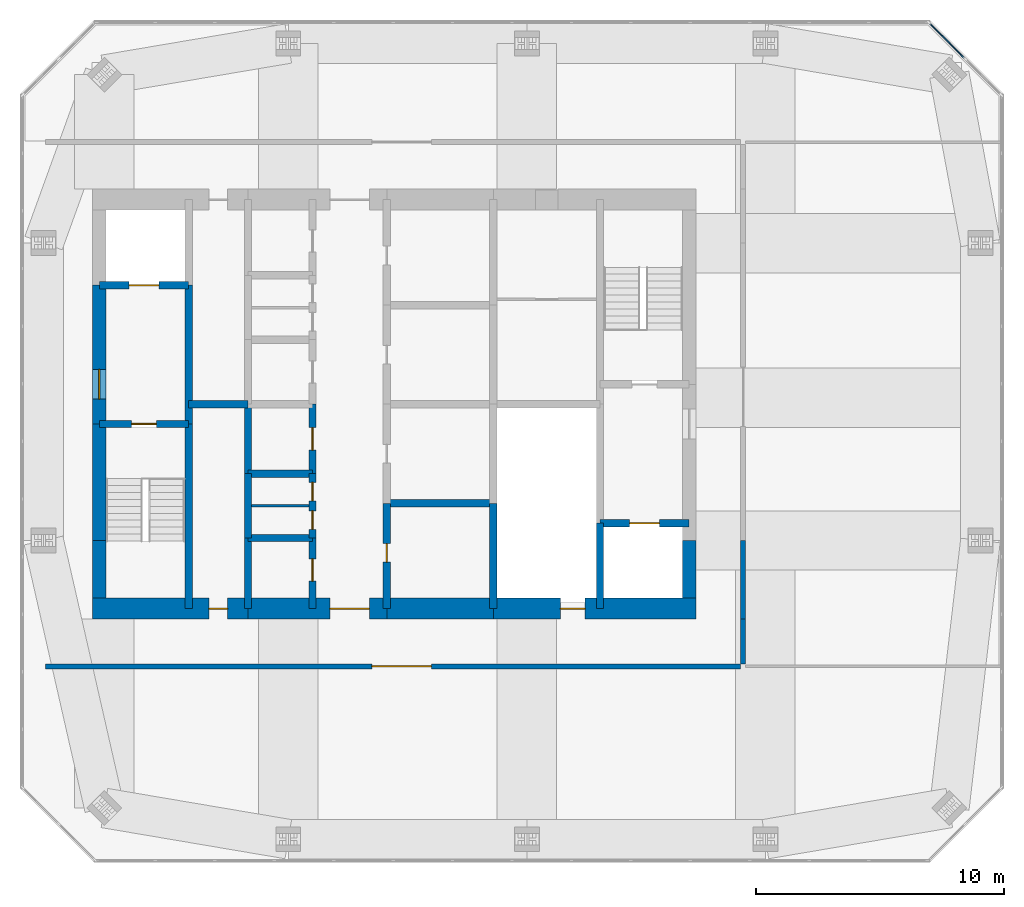
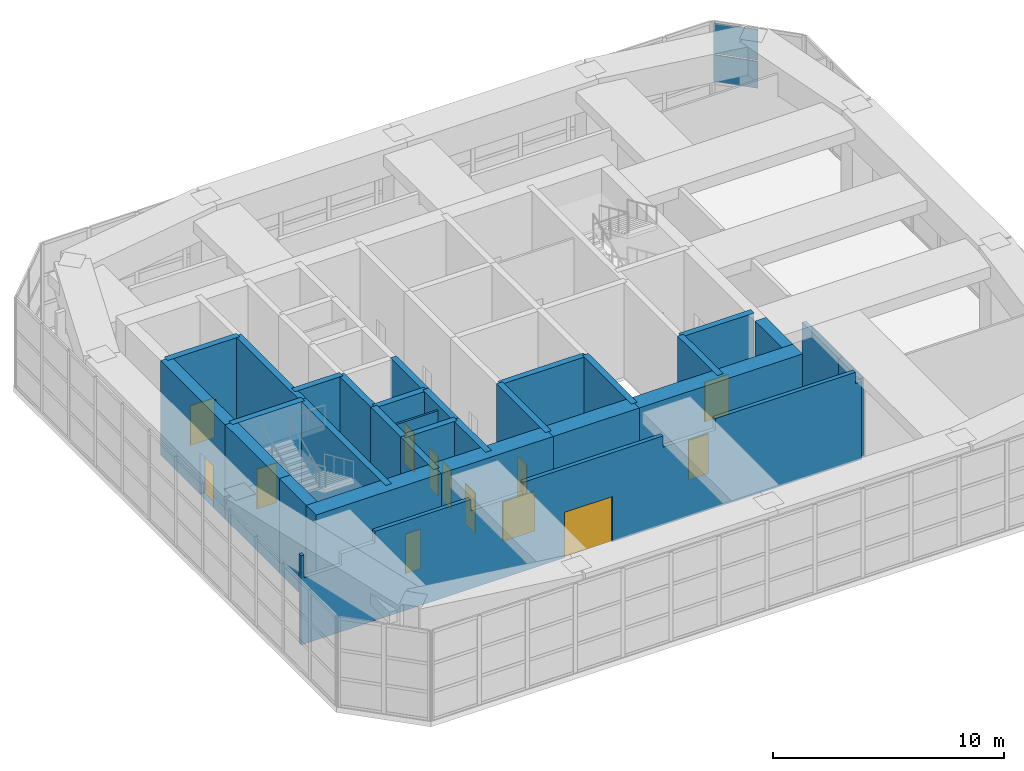
# One storey, part 11 of 14: 30 walls, 13 doors, 2 plates, 13 openings, 1 element without a shape of its own.
"""IFC4 building model written with IfcOpenShell, lengths in metres."""

from ifc_helpers import new_model, si_unit, direction, frame, frame_2d, origin, origin_2d, place, context, subcontext, project, spatial, polyline, rectangle, outline, extrude, material, layer, layer_set, constituent, constituent_set, type_object, element, fill, aggregate, save


model = new_model("IFC4")

# Units and contexts
model_context = context("Model", 3, precision=1e-05, world=origin(), true_north=direction((0.0, 1.0)))
body_context = subcontext(model_context, "Body", "Model", "MODEL_VIEW")
ifc_project = project(units=[si_unit("LENGTHUNIT", "METRE"), si_unit("AREAUNIT", "SQUARE_METRE"), si_unit("VOLUMEUNIT", "CUBIC_METRE"), si_unit("PLANEANGLEUNIT", "RADIAN"), si_unit("MASSUNIT", "GRAM", prefix="KILO")], contexts=[model_context])

# Site, building, storey
site_placement = place(None, origin())
site = spatial("IfcSite", under=ifc_project, at=site_placement, CompositionType="ELEMENT")
building_placement = place(site_placement, origin())
building = spatial("IfcBuilding", under=site, at=building_placement, Name="Jalousie Tower", CompositionType="ELEMENT")
storey_placement = place(building_placement, frame((0.0, 0.0, 272.75)))
storey = spatial("IfcBuildingStorey", under=building, at=storey_placement, Name="L74", CompositionType="ELEMENT", Elevation=272.75)

# Curtain wall, plates
ifc_material_1 = material(Name="Aluminium curtain wall", Category="aluminium")
curtain_wall_type = type_object("IfcCurtainWallType", Name="CROWN LOUVRE WALL", PredefinedType="USERDEFINED", material=ifc_material_1)
curtain_wall_placement = place(storey_placement, origin())
curtain_wall = element("IfcCurtainWall", 1, at=curtain_wall_placement, inside=storey, type_object=curtain_wall_type, Name="Crown Louvre Wall L74 4", ObjectType="CROWN LOUVRE WALL", PredefinedType="USERDEFINED")
ifc_material_2 = material(Name="Aluminium storm louvre panel", Category="aluminium")
ifc_layer_1 = layer(ifc_material_2, 0.050048828125)
ifc_layer_set_1 = layer_set([ifc_layer_1], Name="Aluminium storm louvre panel")
plate_type = type_object("IfcPlateType", Name="CROWN LOUVRE WALL PANEL", PredefinedType="CURTAIN_PANEL", material=ifc_layer_set_1)
plate_1_placement = place(storey_placement, frame((54.203857421875, 33.157470703125, 1.5400390625), z_axis=(0.0, 0.0, 1.0), x_axis=(-0.707106781187, 0.707106781187, 0.0)))
plate_1 = element("IfcPlate", 2, at=plate_1_placement, type_object=plate_type, Name="CW-L panel 2.2", PredefinedType="CURTAIN_PANEL", context=body_context, shape_type="SweptSolid", body=[
    extrude(rectangle(XDim=1.975830078125, YDim=0.050048828125, at=origin_2d()), origin(), (0.0, 0.0, 1.0), 1.419921875),
])
plate_2_placement = place(storey_placement, frame((54.203857421875, 33.157470703125, 3.0400390625), z_axis=(0.0, 0.0, 1.0), x_axis=(-0.707106781187, 0.707106781187, 0.0)))
plate_2 = element("IfcPlate", 3, at=plate_2_placement, type_object=plate_type, Name="CW-L panel 2.3", PredefinedType="CURTAIN_PANEL", context=body_context, shape_type="SweptSolid", body=[
    extrude(rectangle(XDim=1.975830078125, YDim=0.050048828125, at=origin_2d()), origin(), (0.0, 0.0, 1.0), 1.60009765625),
])
aggregate(curtain_wall, [plate_1, plate_2])

# Walls
ifc_material_3 = material(Name="Concrete f'c 120 MPa", Category="concrete")
ifc_layer_2 = layer(ifc_material_3, 0.300048828125)
ifc_layer_set_2 = layer_set([ifc_layer_2], Name="Concrete f'c 120 MPa")
wall_type_1 = type_object("IfcWallType", Name="CORE WALL 300", PredefinedType="SHEAR", material=ifc_layer_set_2)
wall_1_placement = place(storey_placement, frame((23.60009765625, 10.25, 0.0), z_axis=(0.0, 0.0, 1.0), x_axis=(0.0, 1.0, 0.0)))
element("IfcWall", 4, at=wall_1_placement, inside=storey, type_object=wall_type_1, Name="Core wall X23.6A L74", PredefinedType="SHEAR", context=body_context, shape_type="SweptSolid", body=[
    extrude(rectangle(XDim=7.449951171875, YDim=0.300048828125, at=frame_2d((3.72509765625, 0.0))), origin(), (0.0, 0.0, 1.0), 5.0),
])
wall_2_placement = place(storey_placement, frame((23.60009765625, 17.699951171875, 0.0), z_axis=(0.0, 0.0, 1.0), x_axis=(0.0, 1.0, 0.0)))
element("IfcWall", 5, at=wall_2_placement, inside=storey, type_object=wall_type_1, Name="Core wall X23.6B L74", PredefinedType="SHEAR", context=body_context, shape_type="SweptSolid", body=[
    extrude(rectangle(XDim=5.60009765625, YDim=0.300048828125, at=frame_2d((2.800048828125, 0.0))), origin(), (0.0, 0.0, 1.0), 5.0),
])
wall_3_placement = place(storey_placement, frame((26.0, 10.25, 0.0), z_axis=(0.0, 0.0, 1.0), x_axis=(0.0, 1.0, 0.0)))
element("IfcWall", 6, at=wall_3_placement, inside=storey, type_object=wall_type_1, Name="Core wall X26A L74", PredefinedType="SHEAR", context=body_context, shape_type="SweptSolid", body=[
    extrude(rectangle(XDim=2.85009765625, YDim=0.300048828125, at=frame_2d((1.425048828125, 0.0))), origin(), (0.0, 0.0, 1.0), 5.0),
])
wall_4_placement = place(storey_placement, frame((26.0, 13.10009765625, 0.0), z_axis=(0.0, 0.0, 1.0), x_axis=(0.0, 1.0, 0.0)))
element("IfcWall", 7, at=wall_4_placement, inside=storey, type_object=wall_type_1, Name="Core wall X26B L74", PredefinedType="SHEAR", context=body_context, shape_type="SweptSolid", body=[
    extrude(rectangle(XDim=2.599853515625, YDim=0.300048828125, at=frame_2d((1.2998046875, 0.0))), origin(), (0.0, 0.0, 1.0), 5.0),
])
wall_5_placement = place(storey_placement, frame((26.0, 15.699951171875, 0.0), z_axis=(0.0, 0.0, 1.0), x_axis=(0.0, 1.0, 0.0)))
element("IfcWall", 8, at=wall_5_placement, inside=storey, type_object=wall_type_1, Name="Core wall X26C L74", PredefinedType="SHEAR", context=body_context, shape_type="SweptSolid", body=[
    extrude(rectangle(XDim=2.800048828125, YDim=0.300048828125, at=frame_2d((1.39990234375, 0.0))), origin(), (0.0, 0.0, 1.0), 5.0),
])

# Wall, opening, door
wall_6_placement = place(storey_placement, frame((28.60009765625, 10.25, 0.0), z_axis=(0.0, 0.0, 1.0), x_axis=(0.0, 1.0, 0.0)))
wall_6 = element("IfcWall", 9, at=wall_6_placement, inside=storey, type_object=wall_type_1, Name="Core wall X28.6A L74", PredefinedType="SHEAR", context=body_context, shape_type="SweptSolid", body=[
    extrude(rectangle(XDim=2.85009765625, YDim=0.300048828125, at=frame_2d((1.425048828125, 0.0))), origin(), (0.0, 0.0, 1.0), 5.0),
])
opening_1_placement = place(wall_6_placement, frame((1.112548828125, 0.0, 0.0)))
opening_1 = element("IfcOpeningElement", 10, at=opening_1_placement, cuts=wall_6, Name="Opening D24", PredefinedType="OPENING", context=body_context, shape_type="SweptSolid", body=[
    extrude(rectangle(XDim=0.89990234375, YDim=2.10009765625, at=frame_2d((0.449951171875, 1.050048828125))), frame((0.0, 0.159912109375, 0.0), z_axis=(0.0, -1.0, 0.0), x_axis=(1.0, 0.0, 0.0)), (0.0, 0.0, 1.0), 0.320068359375),
])
ifc_material_4 = material(Name="Steel fire door", Category="steel")
door_type_1 = type_object("IfcDoorType", Name="CORE ROOM DOOR 900", OperationType="SINGLE_SWING_LEFT", PredefinedType="DOOR", material=ifc_material_4)
door_1_placement = place(opening_1_placement, origin())
door_1 = element("IfcDoor", 11, at=door_1_placement, inside=storey, type_object=door_type_1, Name="Maintenance store door", OperationType="SINGLE_SWING_RIGHT", OverallHeight=2.10009765625, OverallWidth=0.89990234375, PredefinedType="DOOR", context=body_context, shape_type="SweptSolid", body=[
    extrude(rectangle(XDim=0.89990234375, YDim=2.10009765625, at=frame_2d((0.449951171875, 1.050048828125))), frame((0.0, 0.02490234375, 0.0), z_axis=(0.0, -1.0, 0.0), x_axis=(1.0, 0.0, 0.0)), (0.0, 0.0, 1.0), 0.050048828125),
])
fill(opening_1, door_1)

# Wall, openings, doors
wall_7_placement = place(storey_placement, frame((28.60009765625, 13.10009765625, 0.0), z_axis=(0.0, 0.0, 1.0), x_axis=(0.0, 1.0, 0.0)))
wall_7 = element("IfcWall", 12, at=wall_7_placement, inside=storey, type_object=wall_type_1, Name="Core wall X28.6B L74", PredefinedType="SHEAR", context=body_context, shape_type="SweptSolid", body=[
    extrude(rectangle(XDim=2.599853515625, YDim=0.300048828125, at=frame_2d((1.2998046875, 0.0))), origin(), (0.0, 0.0, 1.0), 5.0),
])
opening_2_placement = place(wall_7_placement, frame((0.35009765625, 0.0, 0.0)))
opening_2 = element("IfcOpeningElement", 13, at=opening_2_placement, cuts=wall_7, Name="Opening D27", PredefinedType="OPENING", context=body_context, shape_type="SweptSolid", body=[
    extrude(rectangle(XDim=0.75, YDim=2.10009765625, at=frame_2d((0.375, 1.050048828125))), frame((0.0, 0.159912109375, 0.0), z_axis=(0.0, -1.0, 0.0), x_axis=(1.0, 0.0, 0.0)), (0.0, 0.0, 1.0), 0.320068359375),
])
opening_3_placement = place(wall_7_placement, frame((1.5, 0.0, 0.0)))
opening_3 = element("IfcOpeningElement", 14, at=opening_3_placement, cuts=wall_7, Name="Opening D27", PredefinedType="OPENING", context=body_context, shape_type="SweptSolid", body=[
    extrude(rectangle(XDim=0.75, YDim=2.10009765625, at=frame_2d((0.375, 1.050048828125))), frame((0.0, 0.159912109375, 0.0), z_axis=(0.0, -1.0, 0.0), x_axis=(1.0, 0.0, 0.0)), (0.0, 0.0, 1.0), 0.320068359375),
])
ifc_material_5 = material(Name="Steel fire door", Category="steel")
door_type_2 = type_object("IfcDoorType", Name="CORE ROOM DOOR 750", OperationType="SINGLE_SWING_LEFT", PredefinedType="DOOR", material=ifc_material_5)
door_2_placement = place(opening_2_placement, origin())
door_2 = element("IfcDoor", 15, at=door_2_placement, inside=storey, type_object=door_type_2, Name="Plant spares store door", OperationType="SINGLE_SWING_RIGHT", OverallHeight=2.10009765625, OverallWidth=0.75, PredefinedType="DOOR", context=body_context, shape_type="SweptSolid", body=[
    extrude(rectangle(XDim=0.75, YDim=2.10009765625, at=frame_2d((0.375, 1.050048828125))), frame((0.0, 0.02490234375, 0.0), z_axis=(0.0, -1.0, 0.0), x_axis=(1.0, 0.0, 0.0)), (0.0, 0.0, 1.0), 0.050048828125),
])
fill(opening_2, door_2)
door_3_placement = place(opening_3_placement, origin())
door_3 = element("IfcDoor", 16, at=door_3_placement, inside=storey, type_object=door_type_2, Name="Store door", OperationType="SINGLE_SWING_LEFT", OverallHeight=2.10009765625, OverallWidth=0.75, PredefinedType="DOOR", context=body_context, shape_type="SweptSolid", body=[
    extrude(rectangle(XDim=0.75, YDim=2.10009765625, at=frame_2d((0.375, 1.050048828125))), frame((0.0, 0.02490234375, 0.0), z_axis=(0.0, -1.0, 0.0), x_axis=(1.0, 0.0, 0.0)), (0.0, 0.0, 1.0), 0.050048828125),
])
fill(opening_3, door_3)

# Wall, opening, door
wall_8_placement = place(storey_placement, frame((28.60009765625, 15.699951171875, 0.0), z_axis=(0.0, 0.0, 1.0), x_axis=(0.0, 1.0, 0.0)))
wall_8 = element("IfcWall", 17, at=wall_8_placement, inside=storey, type_object=wall_type_1, Name="Core wall X28.6C L74", PredefinedType="SHEAR", context=body_context, shape_type="SweptSolid", body=[
    extrude(rectangle(XDim=2.800048828125, YDim=0.300048828125, at=frame_2d((1.39990234375, 0.0))), origin(), (0.0, 0.0, 1.0), 5.0),
])
opening_4_placement = place(wall_8_placement, frame((0.949951171875, 0.0, 0.0)))
opening_4 = element("IfcOpeningElement", 18, at=opening_4_placement, cuts=wall_8, Name="Opening D24", PredefinedType="OPENING", context=body_context, shape_type="SweptSolid", body=[
    extrude(rectangle(XDim=0.89990234375, YDim=2.10009765625, at=frame_2d((0.449951171875, 1.050048828125))), frame((0.0, 0.159912109375, 0.0), z_axis=(0.0, -1.0, 0.0), x_axis=(1.0, 0.0, 0.0)), (0.0, 0.0, 1.0), 0.320068359375),
])
door_4_placement = place(opening_4_placement, origin())
door_4 = element("IfcDoor", 19, at=door_4_placement, inside=storey, type_object=door_type_1, Name="IT room door", OperationType="SINGLE_SWING_LEFT", OverallHeight=2.10009765625, OverallWidth=0.89990234375, PredefinedType="DOOR", context=body_context, shape_type="SweptSolid", body=[
    extrude(rectangle(XDim=0.89990234375, YDim=2.10009765625, at=frame_2d((0.449951171875, 1.050048828125))), frame((0.0, 0.02490234375, 0.0), z_axis=(0.0, -1.0, 0.0), x_axis=(1.0, 0.0, 0.0)), (0.0, 0.0, 1.0), 0.050048828125),
])
fill(opening_4, door_4)

wall_9_placement = place(storey_placement, frame((31.60009765625, 10.25, 0.0), z_axis=(0.0, 0.0, 1.0), x_axis=(0.0, 1.0, 0.0)))
wall_9 = element("IfcWall", 20, at=wall_9_placement, inside=storey, type_object=wall_type_1, Name="Core wall X31.6A L74", PredefinedType="SHEAR", context=body_context, shape_type="SweptSolid", body=[
    extrude(rectangle(XDim=4.25, YDim=0.300048828125, at=frame_2d((2.125, 0.0))), origin(), (0.0, 0.0, 1.0), 5.0),
])
opening_5_placement = place(wall_9_placement, frame((1.875, 0.0, 0.0)))
opening_5 = element("IfcOpeningElement", 21, at=opening_5_placement, cuts=wall_9, Name="Opening D16", PredefinedType="OPENING", context=body_context, shape_type="SweptSolid", body=[
    extrude(rectangle(XDim=0.75, YDim=2.10009765625, at=frame_2d((0.375, 1.050048828125))), frame((0.0, 0.159912109375, 0.0), z_axis=(0.0, -1.0, 0.0), x_axis=(1.0, 0.0, 0.0)), (0.0, 0.0, 1.0), 0.320068359375),
])
ifc_material_6 = material(Name="Steel fire door", Category="steel")
door_type_3 = type_object("IfcDoorType", Name="RISER DOOR 750", OperationType="SINGLE_SWING_LEFT", PredefinedType="DOOR", material=ifc_material_6)
door_5_placement = place(opening_5_placement, frame((0.75, 0.0, 0.0), z_axis=(0.0, 0.0, 1.0), x_axis=(-1.0, 0.0, 0.0)))
door_5 = element("IfcDoor", 22, at=door_5_placement, inside=storey, type_object=door_type_3, Name="Refuse Room door", OperationType="SINGLE_SWING_RIGHT", OverallHeight=2.10009765625, OverallWidth=0.75, PredefinedType="DOOR", context=body_context, shape_type="SweptSolid", body=[
    extrude(rectangle(XDim=0.75, YDim=2.10009765625, at=frame_2d((0.375, 1.050048828125))), frame((0.0, 0.02490234375, 0.0), z_axis=(0.0, -1.0, 0.0), x_axis=(1.0, 0.0, 0.0)), (0.0, 0.0, 1.0), 0.050048828125),
])
fill(opening_5, door_5)

# Walls
wall_10_placement = place(storey_placement, frame((35.89990234375, 10.25, 0.0), z_axis=(0.0, 0.0, 1.0), x_axis=(0.0, 1.0, 0.0)))
element("IfcWall", 23, at=wall_10_placement, inside=storey, type_object=wall_type_1, Name="Core wall X35.9A L74", PredefinedType="SHEAR", context=body_context, shape_type="SweptSolid", body=[
    extrude(rectangle(XDim=4.25, YDim=0.300048828125, at=frame_2d((2.125, 0.0))), origin(), (0.0, 0.0, 1.0), 5.0),
])
wall_11_placement = place(storey_placement, frame((40.199951171875, 10.25, 0.0), z_axis=(0.0, 0.0, 1.0), x_axis=(0.0, 1.0, 0.0)))
element("IfcWall", 24, at=wall_11_placement, inside=storey, type_object=wall_type_1, Name="Core wall X40.2A L74", PredefinedType="SHEAR", context=body_context, shape_type="SweptSolid", body=[
    extrude(rectangle(XDim=3.449951171875, YDim=0.300048828125, at=frame_2d((1.72509765625, 0.0))), origin(), (0.0, 0.0, 1.0), 5.0),
])

# Wall, opening, door
wall_12_placement = place(storey_placement, frame((20.0, 17.699951171875, 0.0), z_axis=(0.0, 0.0, 1.0), x_axis=(1.0, 0.0, 0.0)))
wall_12 = element("IfcWall", 25, at=wall_12_placement, inside=storey, type_object=wall_type_1, Name="Core wall Y20-17.7 L74", PredefinedType="SHEAR", context=body_context, shape_type="SweptSolid", body=[
    extrude(rectangle(XDim=3.60009765625, YDim=0.300048828125, at=frame_2d((1.800048828125, 0.0))), origin(), (0.0, 0.0, 1.0), 5.0),
])
opening_6_placement = place(wall_12_placement, frame((1.300048828125, 0.0, 0.0)))
opening_6 = element("IfcOpeningElement", 26, at=opening_6_placement, cuts=wall_12, Name="Opening D10", PredefinedType="OPENING", context=body_context, shape_type="SweptSolid", body=[
    extrude(rectangle(XDim=1.0, YDim=2.10009765625, at=frame_2d((0.5, 1.050048828125))), frame((0.0, 0.159912109375, 0.0), z_axis=(0.0, -1.0, 0.0), x_axis=(1.0, 0.0, 0.0)), (0.0, 0.0, 1.0), 0.320068359375),
])
ifc_material_7 = material(Name="Steel fire door", Category="steel")
door_type_4 = type_object("IfcDoorType", Name="STAIR DOOR 1000", OperationType="SINGLE_SWING_LEFT", PredefinedType="DOOR", material=ifc_material_7)
door_6_placement = place(opening_6_placement, frame((1.0, 0.0, 0.0), z_axis=(0.0, 0.0, 1.0), x_axis=(-1.0, 0.0, 0.0)))
door_6 = element("IfcDoor", 27, at=door_6_placement, inside=storey, type_object=door_type_4, Name="Exit stair A door", OperationType="SINGLE_SWING_RIGHT", OverallHeight=2.10009765625, OverallWidth=1.0, PredefinedType="DOOR", context=body_context, shape_type="SweptSolid", body=[
    extrude(rectangle(XDim=1.0, YDim=2.10009765625, at=frame_2d((0.5, 1.050048828125))), frame((0.0, 0.02490234375, 0.0), z_axis=(0.0, -1.0, 0.0), x_axis=(1.0, 0.0, 0.0)), (0.0, 0.0, 1.0), 0.050048828125),
])
fill(opening_6, door_6)

wall_13_placement = place(storey_placement, frame((20.0, 23.300048828125, 0.0), z_axis=(0.0, 0.0, 1.0), x_axis=(1.0, 0.0, 0.0)))
wall_13 = element("IfcWall", 28, at=wall_13_placement, inside=storey, type_object=wall_type_1, Name="Core wall Y20-23.3 L74", PredefinedType="SHEAR", context=body_context, shape_type="SweptSolid", body=[
    extrude(rectangle(XDim=3.60009765625, YDim=0.300048828125, at=frame_2d((1.800048828125, 0.0))), origin(), (0.0, 0.0, 1.0), 5.0),
])
opening_7_placement = place(wall_13_placement, frame((1.199951171875, 0.0, 0.0)))
opening_7 = element("IfcOpeningElement", 29, at=opening_7_placement, cuts=wall_13, Name="Opening LD2", PredefinedType="OPENING", context=body_context, shape_type="SweptSolid", body=[
    extrude(rectangle(XDim=1.199951171875, YDim=2.10009765625, at=frame_2d((0.60009765625, 1.050048828125))), frame((0.0, 0.159912109375, 0.0), z_axis=(0.0, -1.0, 0.0), x_axis=(1.0, 0.0, 0.0)), (0.0, 0.0, 1.0), 0.320068359375),
])
ifc_material_8 = material(Name="Steel lift landing door", Category="steel")
door_type_5 = type_object("IfcDoorType", Name="LIFT LANDING DOOR 1200", OperationType="SLIDING_TO_LEFT", PredefinedType="DOOR", material=ifc_material_8)
door_7_placement = place(opening_7_placement, origin())
door_7 = element("IfcDoor", 30, at=door_7_placement, inside=storey, type_object=door_type_5, Name="Lift F1 landing door", OperationType="SLIDING_TO_LEFT", OverallHeight=2.10009765625, OverallWidth=1.199951171875, PredefinedType="DOOR", context=body_context, shape_type="SweptSolid", body=[
    extrude(rectangle(XDim=1.199951171875, YDim=2.10009765625, at=frame_2d((0.60009765625, 1.050048828125))), frame((0.0, 0.02490234375, 0.0), z_axis=(0.0, -1.0, 0.0), x_axis=(1.0, 0.0, 0.0)), (0.0, 0.0, 1.0), 0.050048828125),
])
fill(opening_7, door_7)

# Walls
wall_14_placement = place(storey_placement, frame((23.60009765625, 18.5, 0.0), z_axis=(0.0, 0.0, 1.0), x_axis=(1.0, 0.0, 0.0)))
element("IfcWall", 31, at=wall_14_placement, inside=storey, type_object=wall_type_1, Name="Core wall Y23.6-18.5 L74", PredefinedType="SHEAR", context=body_context, shape_type="SweptSolid", body=[
    extrude(rectangle(XDim=2.39990234375, YDim=0.300048828125, at=frame_2d((1.199951171875, 0.0))), origin(), (0.0, 0.0, 1.0), 5.0),
])
for number, where, z_axis, x_axis, name in (
    (32, (26.0, 13.10009765625, 0.0), (0.0, 0.0, 1.0), (1.0, 0.0, 0.0), "Core wall Y26-13.1 L74"),
    (33, (26.0, 15.699951171875, 0.0), (0.0, 0.0, 1.0), (1.0, 0.0, 0.0), "Core wall Y26-15.7 L74"),
):
    element("IfcWall", number, at=place(storey_placement, frame(where, z_axis=z_axis, x_axis=x_axis)), inside=storey, type_object=wall_type_1, Name=name, PredefinedType="SHEAR", context=body_context, shape_type="SweptSolid", body=[
        extrude(rectangle(XDim=2.60009765625, YDim=0.300048828125, at=frame_2d((1.300048828125, 0.0))), origin(), (0.0, 0.0, 1.0), 5.0),
    ])
wall_15_placement = place(storey_placement, frame((31.60009765625, 14.5, 0.0), z_axis=(0.0, 0.0, 1.0), x_axis=(1.0, 0.0, 0.0)))
element("IfcWall", 34, at=wall_15_placement, inside=storey, type_object=wall_type_1, Name="Core wall Y31.6-14.5 L74", PredefinedType="SHEAR", context=body_context, shape_type="SweptSolid", body=[
    extrude(rectangle(XDim=4.2998046875, YDim=0.300048828125, at=frame_2d((2.14990234375, 0.0))), origin(), (0.0, 0.0, 1.0), 5.0),
])

# Wall, opening, door
wall_16_placement = place(storey_placement, frame((40.199951171875, 13.699951171875, 0.0), z_axis=(0.0, 0.0, 1.0), x_axis=(1.0, 0.0, 0.0)))
wall_16 = element("IfcWall", 35, at=wall_16_placement, inside=storey, type_object=wall_type_1, Name="Core wall Y40.2-13.7 L74", PredefinedType="SHEAR", context=body_context, shape_type="SweptSolid", body=[
    extrude(rectangle(XDim=3.60009765625, YDim=0.300048828125, at=frame_2d((1.800048828125, 0.0))), origin(), (0.0, 0.0, 1.0), 5.0),
])
opening_8_placement = place(wall_16_placement, frame((1.199951171875, 0.0, 0.0)))
opening_8 = element("IfcOpeningElement", 36, at=opening_8_placement, cuts=wall_16, Name="Opening LD2", PredefinedType="OPENING", context=body_context, shape_type="SweptSolid", body=[
    extrude(rectangle(XDim=1.199951171875, YDim=2.10009765625, at=frame_2d((0.60009765625, 1.050048828125))), frame((0.0, 0.159912109375, 0.0), z_axis=(0.0, -1.0, 0.0), x_axis=(1.0, 0.0, 0.0)), (0.0, 0.0, 1.0), 0.320068359375),
])
door_8_placement = place(opening_8_placement, origin())
door_8 = element("IfcDoor", 37, at=door_8_placement, inside=storey, type_object=door_type_5, Name="Lift F2 landing door", OperationType="SLIDING_TO_LEFT", OverallHeight=2.10009765625, OverallWidth=1.199951171875, PredefinedType="DOOR", context=body_context, shape_type="SweptSolid", body=[
    extrude(rectangle(XDim=1.199951171875, YDim=2.10009765625, at=frame_2d((0.60009765625, 1.050048828125))), frame((0.0, 0.02490234375, 0.0), z_axis=(0.0, -1.0, 0.0), x_axis=(1.0, 0.0, 0.0)), (0.0, 0.0, 1.0), 0.050048828125),
])
fill(opening_8, door_8)

ifc_material_9 = material(Name="Concrete f'c 120 MPa", Category="concrete")
ifc_layer_3 = layer(ifc_material_9, 0.550048828125)
ifc_layer_set_3 = layer_set([ifc_layer_3], Name="Concrete f'c 120 MPa")
wall_type_2 = type_object("IfcWallType", Name="CORE WALL 550", PredefinedType="SHEAR", material=ifc_layer_set_3)
wall_17_placement = place(storey_placement, frame((20.0, 23.300048828125, 0.0), z_axis=(0.0, 0.0, 1.0), x_axis=(0.0, -1.0, 0.0)))
wall_17 = element("IfcWall", 38, at=wall_17_placement, inside=storey, type_object=wall_type_2, Name="Core wall WB L74", PredefinedType="SHEAR", context=body_context, shape_type="SweptSolid", body=[
    extrude(rectangle(XDim=5.60009765625, YDim=0.550048828125, at=frame_2d((2.800048828125, 0.0))), origin(), (0.0, 0.0, 1.0), 5.0),
])
opening_9_placement = place(wall_17_placement, frame((3.39990234375, 0.0, 0.0)))
opening_9 = element("IfcOpeningElement", 39, at=opening_9_placement, cuts=wall_17, Name="Opening D11", PredefinedType="OPENING", context=body_context, shape_type="SweptSolid", body=[
    extrude(rectangle(XDim=1.199951171875, YDim=2.199951171875, at=frame_2d((0.60009765625, 1.10009765625))), frame((0.0, 0.284912109375, 0.0), z_axis=(0.0, -1.0, 0.0), x_axis=(1.0, 0.0, 0.0)), (0.0, 0.0, 1.0), 0.570068359375),
])
ifc_material_10 = material(Name="Steel fire door", Category="steel")
door_type_6 = type_object("IfcDoorType", Name="FIRE DOOR 1200", OperationType="SINGLE_SWING_LEFT", PredefinedType="DOOR", material=ifc_material_10)
door_9_placement = place(opening_9_placement, origin())
door_9 = element("IfcDoor", 40, at=door_9_placement, inside=storey, type_object=door_type_6, Name="Fire-fighting lobby A door", OperationType="SINGLE_SWING_RIGHT", OverallHeight=2.199951171875, OverallWidth=1.199951171875, PredefinedType="DOOR", context=body_context, shape_type="SweptSolid", body=[
    extrude(rectangle(XDim=1.199951171875, YDim=2.199951171875, at=frame_2d((0.60009765625, 1.10009765625))), frame((0.0, 0.02490234375, 0.0), z_axis=(0.0, -1.0, 0.0), x_axis=(1.0, 0.0, 0.0)), (0.0, 0.0, 1.0), 0.050048828125),
])
fill(opening_9, door_9)

# Walls
wall_18_placement = place(storey_placement, frame((20.0, 17.699951171875, 0.0), z_axis=(0.0, 0.0, 1.0), x_axis=(0.0, -1.0, 0.0)))
element("IfcWall", 41, at=wall_18_placement, inside=storey, type_object=wall_type_2, Name="Core wall WC L74", PredefinedType="SHEAR", context=body_context, shape_type="SweptSolid", body=[
    extrude(rectangle(XDim=4.699951171875, YDim=0.550048828125, at=frame_2d((2.35009765625, 0.0))), origin(), (0.0, 0.0, 1.0), 5.0),
])
for number, where, z_axis, x_axis, name in (
    (42, (20.0, 13.0, 0.0), (0.0, 0.0, 1.0), (0.0, -1.0, 0.0), "Core wall WD L74"),
    (43, (43.800048828125, 10.675048828125, 0.0), (0.0, 0.0, 1.0), (0.0, 1.0, 0.0), "Core wall EA L74"),
):
    element("IfcWall", number, at=place(storey_placement, frame(where, z_axis=z_axis, x_axis=x_axis)), inside=storey, type_object=wall_type_2, Name=name, PredefinedType="SHEAR", context=body_context, shape_type="SweptSolid", body=[
        extrude(rectangle(XDim=2.324951171875, YDim=0.550048828125, at=frame_2d((1.16259765625, 0.0))), origin(), (0.0, 0.0, 1.0), 5.0),
    ])

# Wall, opening, door
ifc_material_11 = material(Name="Concrete f'c 120 MPa", Category="concrete")
ifc_layer_4 = layer(ifc_material_11, 0.85009765625)
ifc_layer_set_4 = layer_set([ifc_layer_4], Name="Concrete f'c 120 MPa")
wall_type_3 = type_object("IfcWallType", Name="CORE WALL 850", PredefinedType="SHEAR", material=ifc_layer_set_4)
wall_19_placement = place(storey_placement, frame((19.72509765625, 10.25, 0.0), z_axis=(0.0, 0.0, 1.0), x_axis=(1.0, 0.0, 0.0)))
wall_19 = element("IfcWall", 44, at=wall_19_placement, inside=storey, type_object=wall_type_3, Name="Core wall SA L74", PredefinedType="SHEAR", context=body_context, shape_type="SweptSolid", body=[
    extrude(rectangle(XDim=6.27490234375, YDim=0.85009765625, at=frame_2d((3.137451171875, 0.0))), origin(), (0.0, 0.0, 1.0), 5.0),
])
opening_10_placement = place(wall_19_placement, frame((4.699951171875, 0.0, 0.0)))
opening_10 = element("IfcOpeningElement", 45, at=opening_10_placement, cuts=wall_19, Name="Opening D16", PredefinedType="OPENING", context=body_context, shape_type="SweptSolid", body=[
    extrude(rectangle(XDim=0.75, YDim=2.10009765625, at=frame_2d((0.375, 1.050048828125))), frame((0.0, 0.43505859375, 0.0), z_axis=(0.0, -1.0, 0.0), x_axis=(1.0, 0.0, 0.0)), (0.0, 0.0, 1.0), 0.8701171875),
])
door_10_placement = place(opening_10_placement, origin())
door_10 = element("IfcDoor", 46, at=door_10_placement, inside=storey, type_object=door_type_3, Name="South riser door", OperationType="SINGLE_SWING_RIGHT", OverallHeight=2.10009765625, OverallWidth=0.75, PredefinedType="DOOR", context=body_context, shape_type="SweptSolid", body=[
    extrude(rectangle(XDim=0.75, YDim=2.10009765625, at=frame_2d((0.375, 1.050048828125))), frame((0.0, 0.02490234375, 0.0), z_axis=(0.0, -1.0, 0.0), x_axis=(1.0, 0.0, 0.0)), (0.0, 0.0, 1.0), 0.050048828125),
])
fill(opening_10, door_10)

wall_20_placement = place(storey_placement, frame((26.0, 10.25, 0.0), z_axis=(0.0, 0.0, 1.0), x_axis=(1.0, 0.0, 0.0)))
wall_20 = element("IfcWall", 47, at=wall_20_placement, inside=storey, type_object=wall_type_3, Name="Core wall SB L74", PredefinedType="SHEAR", context=body_context, shape_type="SweptSolid", body=[
    extrude(rectangle(XDim=5.60009765625, YDim=0.85009765625, at=frame_2d((2.800048828125, 0.0))), origin(), (0.0, 0.0, 1.0), 5.0),
])
opening_11_placement = place(wall_20_placement, frame((3.300048828125, 0.0, 0.0)))
opening_11 = element("IfcOpeningElement", 48, at=opening_11_placement, cuts=wall_20, Name="Opening D15", PredefinedType="OPENING", context=body_context, shape_type="SweptSolid", body=[
    extrude(rectangle(XDim=1.60009765625, YDim=2.10009765625, at=frame_2d((0.800048828125, 1.050048828125))), frame((0.0, 0.43505859375, 0.0), z_axis=(0.0, -1.0, 0.0), x_axis=(1.0, 0.0, 0.0)), (0.0, 0.0, 1.0), 0.8701171875),
])
ifc_material_12 = material(Name="Steel fire door", Category="steel")
door_type_7 = type_object("IfcDoorType", Name="LIFT LOBBY DOOR 1600", OperationType="DOUBLE_DOOR_SINGLE_SWING", PredefinedType="DOOR", material=ifc_material_12)
door_11_placement = place(opening_11_placement, origin())
door_11 = element("IfcDoor", 49, at=door_11_placement, inside=storey, type_object=door_type_7, Name="Lift lobby south door", OperationType="DOUBLE_DOOR_SINGLE_SWING", OverallHeight=2.10009765625, OverallWidth=1.60009765625, PredefinedType="DOOR", context=body_context, shape_type="SweptSolid", body=[
    extrude(rectangle(XDim=1.60009765625, YDim=2.10009765625, at=frame_2d((0.800048828125, 1.050048828125))), frame((0.0, 0.02490234375, 0.0), z_axis=(0.0, -1.0, 0.0), x_axis=(1.0, 0.0, 0.0)), (0.0, 0.0, 1.0), 0.050048828125),
])
fill(opening_11, door_11)

# Wall
wall_21_placement = place(storey_placement, frame((31.60009765625, 10.25, 0.0), z_axis=(0.0, 0.0, 1.0), x_axis=(1.0, 0.0, 0.0)))
element("IfcWall", 50, at=wall_21_placement, inside=storey, type_object=wall_type_3, Name="Core wall SC L74", PredefinedType="SHEAR", context=body_context, shape_type="SweptSolid", body=[
    extrude(rectangle(XDim=4.2998046875, YDim=0.85009765625, at=frame_2d((2.14990234375, 0.0))), origin(), (0.0, 0.0, 1.0), 5.0),
])

# Wall, opening, door
wall_22_placement = place(storey_placement, frame((35.89990234375, 10.25, 0.0), z_axis=(0.0, 0.0, 1.0), x_axis=(1.0, 0.0, 0.0)))
wall_22 = element("IfcWall", 51, at=wall_22_placement, inside=storey, type_object=wall_type_3, Name="Core wall SD L74", PredefinedType="SHEAR", context=body_context, shape_type="SweptSolid", body=[
    extrude(rectangle(XDim=8.175048828125, YDim=0.85009765625, at=frame_2d((4.08740234375, 0.0))), origin(), (0.0, 0.0, 1.0), 5.0),
])
opening_12_placement = place(wall_22_placement, frame((2.699951171875, 0.0, 0.0)))
opening_12 = element("IfcOpeningElement", 52, at=opening_12_placement, cuts=wall_22, Name="Opening D10", PredefinedType="OPENING", context=body_context, shape_type="SweptSolid", body=[
    extrude(rectangle(XDim=1.0, YDim=2.10009765625, at=frame_2d((0.5, 1.050048828125))), frame((0.0, 0.43505859375, 0.0), z_axis=(0.0, -1.0, 0.0), x_axis=(1.0, 0.0, 0.0)), (0.0, 0.0, 1.0), 0.8701171875),
])
door_12_placement = place(opening_12_placement, origin())
door_12 = element("IfcDoor", 53, at=door_12_placement, inside=storey, type_object=door_type_4, Name="Exit stair C door", OperationType="SINGLE_SWING_RIGHT", OverallHeight=2.10009765625, OverallWidth=1.0, PredefinedType="DOOR", context=body_context, shape_type="SweptSolid", body=[
    extrude(rectangle(XDim=1.0, YDim=2.10009765625, at=frame_2d((0.5, 1.050048828125))), frame((0.0, 0.02490234375, 0.0), z_axis=(0.0, -1.0, 0.0), x_axis=(1.0, 0.0, 0.0)), (0.0, 0.0, 1.0), 0.050048828125),
])
fill(opening_12, door_12)

ifc_material_13 = material(Name="Concrete block ASTM C90", Category="concrete")
ifc_constituent_1 = constituent(ifc_material_13, Name="Body")
ifc_material_14 = material(Name="Render")
ifc_constituent_2 = constituent(ifc_material_14, Name="Finish")
ifc_constituent_set_1 = constituent_set(constituents=[ifc_constituent_1, ifc_constituent_2])
wall_type_4 = type_object("IfcWallType", Name="CORRIDOR WALL 200", PredefinedType="PARTITIONING", material=ifc_constituent_set_1)
wall_23_placement = place(storey_placement, frame((17.824951171875, 7.925048828125, 0.0), z_axis=(0.0, 0.0, 1.0), x_axis=(1.0, 0.0, 0.0)))
wall_23 = element("IfcWall", 54, at=wall_23_placement, inside=storey, type_object=wall_type_4, Name="Corridor Wall 200 L74", PredefinedType="PARTITIONING", context=body_context, shape_type="SweptSolid", body=[
    extrude(outline(polyline([(0.0, 0.0), (28.050048828125, 0.0), (28.050048828125, 4.719970703125), (28.050048828125, 4.1201171875), (27.739990234375, 4.1201171875), (27.739990234375, 4.719970703125), (20.735107421875, 4.719970703125), (20.735107421875, 4.1201171875), (18.114990234375, 4.1201171875), (18.114990234375, 4.719970703125), (11.110107421875, 4.719970703125), (11.110107421875, 4.1201171875), (8.489990234375, 4.1201171875), (8.489990234375, 4.719970703125), (3.692138671875, 4.719970703125), (3.692138671875, 4.1201171875), (2.013671875, 4.1201171875), (2.013671875, 3.5), (0.147216796875, 3.5), (0.147216796875, 4.719970703125), (0.0, 4.719970703125), (0.0, 0.0)])), frame((0.0, 0.10009765625, 0.0), z_axis=(0.0, -1.0, 0.0), x_axis=(1.0, 0.0, 0.0)), (0.0, 0.0, 1.0), 0.199951171875),
])
opening_13_placement = place(wall_23_placement, frame((13.175048828125, 0.0, 0.0)))
opening_13 = element("IfcOpeningElement", 55, at=opening_13_placement, cuts=wall_23, Name="Opening D9", PredefinedType="OPENING", context=body_context, shape_type="SweptSolid", body=[
    extrude(rectangle(XDim=2.39990234375, YDim=2.39990234375, at=frame_2d((1.199951171875, 1.199951171875))), frame((0.0, 0.10986328125, 0.0), z_axis=(0.0, -1.0, 0.0), x_axis=(1.0, 0.0, 0.0)), (0.0, 0.0, 1.0), 0.219970703125),
])
ifc_material_15 = material(Name="Steel fire door", Category="steel")
door_type_8 = type_object("IfcDoorType", Name="PLANT DOOR 2400", OperationType="DOUBLE_DOOR_SINGLE_SWING", PredefinedType="DOOR", material=ifc_material_15)
door_13_placement = place(opening_13_placement, frame((2.39990234375, 0.0, 0.0), z_axis=(0.0, 0.0, 1.0), x_axis=(-1.0, 0.0, 0.0)))
door_13 = element("IfcDoor", 56, at=door_13_placement, inside=storey, type_object=door_type_8, Name="Mechanical fan room door", OperationType="DOUBLE_DOOR_SINGLE_SWING", OverallHeight=2.39990234375, OverallWidth=2.39990234375, PredefinedType="DOOR", context=body_context, shape_type="SweptSolid", body=[
    extrude(rectangle(XDim=2.39990234375, YDim=2.39990234375, at=frame_2d((1.199951171875, 1.199951171875))), frame((0.0, 0.02490234375, 0.0), z_axis=(0.0, -1.0, 0.0), x_axis=(1.0, 0.0, 0.0)), (0.0, 0.0, 1.0), 0.050048828125),
])
fill(opening_13, door_13)

# Walls
wall_24_placement = place(storey_placement, frame((45.97509765625, 8.02490234375, 0.0), z_axis=(0.0, 0.0, 1.0), x_axis=(0.0, 1.0, 0.0)))
element("IfcWall", 57, at=wall_24_placement, inside=storey, type_object=wall_type_4, Name="Corridor Wall 200 L74", PredefinedType="PARTITIONING", context=body_context, shape_type="SweptSolid", body=[
    extrude(outline(polyline([(0.0, 0.0), (1.800048828125, 0.0), (1.800048828125, 4.719970703125), (1.800048828125, 4.1201171875), (0.0, 4.1201171875), (0.0, 4.719970703125), (0.0, 0.0)])), frame((0.0, 0.10009765625, 0.0), z_axis=(0.0, -1.0, 0.0), x_axis=(1.0, 0.0, 0.0)), (0.0, 0.0, 1.0), 0.199951171875),
])
wall_25_placement = place(storey_placement, frame((45.97509765625, 9.824951171875, 0.0), z_axis=(0.0, 0.0, 1.0), x_axis=(0.0, 1.0, 0.0)))
element("IfcWall", 58, at=wall_25_placement, inside=storey, type_object=wall_type_4, Name="Corridor Wall 200 L74-A", PredefinedType="PARTITIONING", context=body_context, shape_type="SweptSolid", body=[
    extrude(rectangle(XDim=3.175048828125, YDim=0.199951171875, at=frame_2d((1.58740234375, 0.0))), origin(), (0.0, 0.0, 1.0), 4.1201171875),
])
ifc_material_16 = material(Name="Gypsum board", Category="gypsum")
ifc_constituent_3 = constituent(ifc_material_16, Name="Body")
ifc_material_17 = material(Name="Light-gauge steel studs ASTM A653 SS Grade 33", Category="steel")
ifc_constituent_4 = constituent(ifc_material_17, Name="Framing")
ifc_constituent_set_2 = constituent_set(constituents=[ifc_constituent_3, ifc_constituent_4])
wall_type_5 = type_object("IfcWallType", Name="PARTITION 100", PredefinedType="PARTITIONING", material=ifc_constituent_set_2)
wall_26_placement = place(storey_placement, frame((26.14990234375, 14.39990234375, 0.0), z_axis=(0.0, 0.0, 1.0), x_axis=(1.0, 0.0, 0.0)))
element("IfcWall", 59, at=wall_26_placement, inside=storey, type_object=wall_type_5, Name="Partition 100 L74", PredefinedType="PARTITIONING", context=body_context, shape_type="SweptSolid", body=[
    extrude(rectangle(XDim=2.300048828125, YDim=0.10009765625, at=frame_2d((1.14990234375, 0.0))), origin(), (0.0, 0.0, 1.0), 4.719970703125),
])

save(model, "model.ifc")
